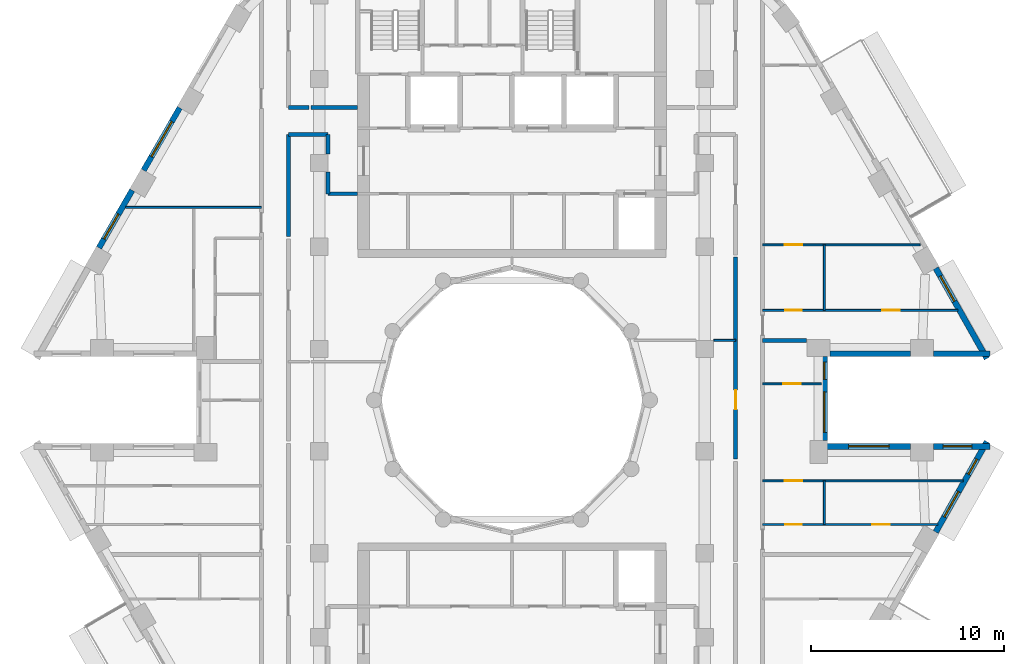
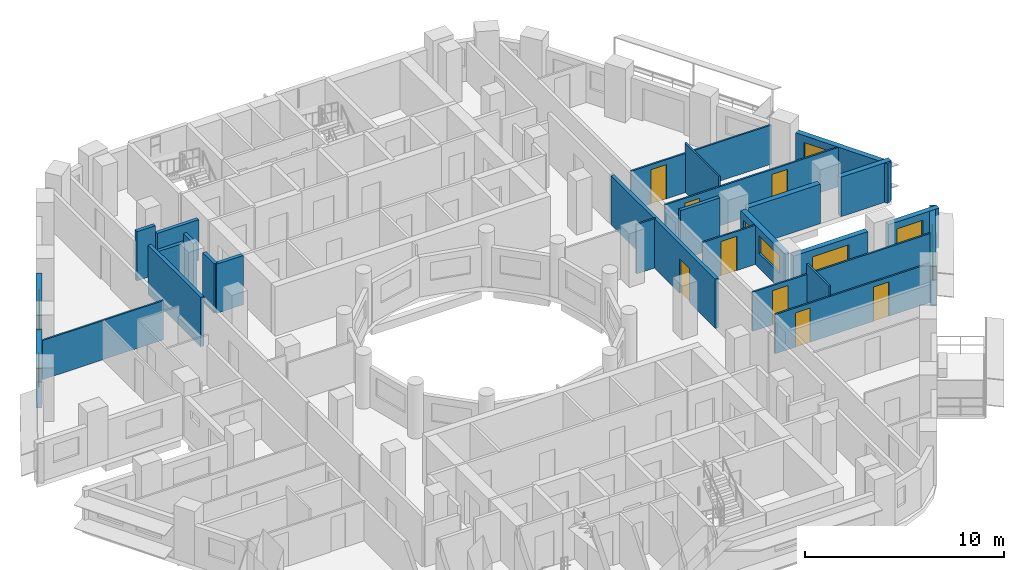
# One storey, part 7 of 18: 27 walls, 9 windows, 8 doors, 17 openings.
"""IFC4 building model written with IfcOpenShell, lengths in metres."""

import ifcopenshell
import ifcopenshell.guid

model = None  # the IFC model being written
_history = None  # IfcOwnerHistory: only IFC2X3 demands one
_inside = {}  # id of a spatial element -> (the spatial element, [elements in it])
_under = {}  # id of a project, library or spatial element -> (it, [spatial elements below it])
_declared = {}  # id of a project -> (the project, [libraries it declares])
_typed = {}  # id of a type object -> (the type object, [elements of that type])
_made_of = {}  # id of a material, layer set ... -> (it, [elements and type objects made of it])


def new_model(schema):
    """Start an empty IFC model of exactly this schema.

    Asked for "IFC4X3", IfcOpenShell would pick the latest addendum, in which some entities
    have other attributes; the version numbers below select the first issue.
    IFC2X3 requires an IfcOwnerHistory on every rooted entity: one is made here for all.
    """
    global model, _history
    if schema == "IFC4X3":
        model = ifcopenshell.file(schema_version=(4, 3, 0, 0))
    else:
        model = ifcopenshell.file(schema=schema)
    _inside.clear()
    _under.clear()
    _declared.clear()
    _typed.clear()
    _made_of.clear()
    _history = None
    if model.schema == "IFC2X3":
        org = make("IfcOrganization", Name="unknown")
        user = make(
            "IfcPersonAndOrganization",
            ThePerson=make("IfcPerson", FamilyName="unknown"),
            TheOrganization=org,
        )
        app = make(
            "IfcApplication",
            ApplicationDeveloper=org,
            Version="unknown",
            ApplicationFullName="unknown",
            ApplicationIdentifier="unknown",
        )
        _history = make(
            "IfcOwnerHistory",
            OwningUser=user,
            OwningApplication=app,
            ChangeAction="ADDED",
            CreationDate=0,
        )
    return model


def make(cls, **values):
    """One entity of the class cls with the attributes given. An attribute that is None is left unset."""
    return model.create_entity(
        cls, **{name: value for name, value in values.items() if value is not None}
    )


def rooted(cls, **values):
    """An entity with a GlobalId (a new one), such as an element, a storey or a relation."""
    return make(cls, GlobalId=ifcopenshell.guid.new(), OwnerHistory=_history, **values)


def si_unit(unit_type, name, prefix=None):
    """IfcSIUnit, for example si_unit("LENGTHUNIT", "METRE", prefix="MILLI")."""
    return make("IfcSIUnit", UnitType=unit_type, Prefix=prefix, Name=name)


def assignment(units):
    """IfcUnitAssignment: the units of a project."""
    return None if units is None else make("IfcUnitAssignment", Units=units)


def point(xyz):
    """IfcCartesianPoint."""
    return None if xyz is None else make("IfcCartesianPoint", Coordinates=xyz)


def direction(xyz):
    """IfcDirection."""
    return None if xyz is None else make("IfcDirection", DirectionRatios=xyz)


def frame(location, z_axis=None, x_axis=None):
    """IfcAxis2Placement3D, a coordinate frame: its origin and axes. An axis left out is left unset."""
    return make(
        "IfcAxis2Placement3D",
        Location=point(location),
        Axis=direction(z_axis),
        RefDirection=direction(x_axis),
    )


def frame_2d(location, x_axis=None):
    """IfcAxis2Placement2D, a coordinate frame in the plane: its origin and x axis."""
    return make(
        "IfcAxis2Placement2D", Location=point(location), RefDirection=direction(x_axis)
    )


def origin():
    """The frame at (0, 0, 0) with its axes left unset."""
    return frame((0.0, 0.0, 0.0))


def place(relative_to, where):
    """IfcLocalPlacement: puts the frame where relative to a parent placement (None: the world)."""
    return make(
        "IfcLocalPlacement", PlacementRelTo=relative_to, RelativePlacement=where
    )


def context(
    kind, dimensions, precision=None, world=None, true_north=None, identifier=None
):
    """IfcGeometricRepresentationContext, for example the 3D "Model" context."""
    return make(
        "IfcGeometricRepresentationContext",
        ContextIdentifier=identifier,
        ContextType=kind,
        CoordinateSpaceDimension=dimensions,
        Precision=precision,
        WorldCoordinateSystem=world,
        TrueNorth=true_north,
    )


def subcontext(parent, identifier, kind, view, scale=None):
    """IfcGeometricRepresentationSubContext, for example "Body" below "Model"."""
    return make(
        "IfcGeometricRepresentationSubContext",
        ContextIdentifier=identifier,
        ContextType=kind,
        ParentContext=parent,
        TargetScale=scale,
        TargetView=view,
    )


def project(units=None, contexts=None):
    """IfcProject with its units and contexts."""
    return rooted(
        "IfcProject",
        Name="project",
        RepresentationContexts=contexts,
        UnitsInContext=assignment(units),
    )


def spatial(cls, under=None, at=None, **own):
    """A site, building, storey or space (cls), placed at a placement, below another one or the project."""
    s = rooted(cls, ObjectPlacement=at, **own)
    if under is not None:
        _under.setdefault(under.id(), (under, []))[1].append(s)
    return s


def profile(cls, at=None, kind="AREA", **sizes):
    """A parametric profile (cls). Its sizes go by their IFC names, for example OverallWidth=200.0."""
    return make(cls, ProfileType=kind, Position=at, **sizes)


def rectangle(**sizes):
    """IfcRectangleProfileDef."""
    return profile("IfcRectangleProfileDef", **sizes)


def extrude(swept, where, along, depth):
    """IfcExtrudedAreaSolid: the profile swept, set in the frame where, extruded along a direction by depth."""
    return make(
        "IfcExtrudedAreaSolid",
        SweptArea=swept,
        Position=where,
        ExtrudedDirection=direction(along),
        Depth=depth,
    )


def shape(context_of_items, identifier, shape_type, items):
    """IfcShapeRepresentation: the items that make up one representation, for example the "Body"."""
    return make(
        "IfcShapeRepresentation",
        ContextOfItems=context_of_items,
        RepresentationIdentifier=identifier,
        RepresentationType=shape_type,
        Items=items,
    )


def material(Name=None, Category=None):
    """IfcMaterial."""
    return make("IfcMaterial", Name=Name, Category=Category)


def layer(
    of_material, thickness, ventilated=None, Name=None, Category=None, Priority=None
):
    """IfcMaterialLayer: one layer of a wall or slab, of a material (None: an air gap)."""
    return make(
        "IfcMaterialLayer",
        Material=of_material,
        LayerThickness=thickness,
        IsVentilated=ventilated,
        Name=Name,
        Category=Category,
        Priority=Priority,
    )


def layer_set(layers, Name=None):
    """IfcMaterialLayerSet."""
    return make("IfcMaterialLayerSet", MaterialLayers=layers, LayerSetName=Name)


def made_of(thing, what):
    """Note that an element or type object is made of a material, layer set ...; save() writes the relation."""
    if what is not None:
        _made_of.setdefault(what.id(), (what, []))[1].append(thing)
    return thing


def type_object(cls, material=None, **own):
    """A type object (cls), such as IfcWallType, which elements share."""
    return made_of(rooted(cls, **own), material)


def element(
    cls,
    number,
    at=None,
    inside=None,
    cuts=None,
    type_object=None,
    material=None,
    context=None,
    identifier="Body",
    shape_type=None,
    held_by="IfcProductDefinitionShape",
    body=None,
    shapes=None,
    **own,
):
    """One element of the class cls, such as IfcWall. Its Tag is "e" and its number.

    at: its placement. inside: the storey or other place that contains it. cuts: it is an
    opening in that element (IfcRelVoidsElement). A single representation is given by context,
    identifier, shape_type and body (its items); several are given by shapes. held_by: the class
    of the entity that holds the representations. save() writes the other relations.
    """
    e = rooted(cls, Tag="e%d" % number, ObjectPlacement=at, **own)
    if body is not None:
        shapes = [shape(context, identifier, shape_type, body)]
    if shapes is not None:
        e.Representation = make(held_by, Representations=shapes)
    if inside is not None:
        _inside.setdefault(inside.id(), (inside, []))[1].append(e)
    if cuts is not None:
        rooted(
            "IfcRelVoidsElement", RelatingBuildingElement=cuts, RelatedOpeningElement=e
        )
    if type_object is not None:
        _typed.setdefault(type_object.id(), (type_object, []))[1].append(e)
    return made_of(e, material)


def fill(opening, filler):
    """IfcRelFillsElement: the door or window that sits in an opening."""
    return rooted(
        "IfcRelFillsElement",
        RelatingOpeningElement=opening,
        RelatedBuildingElement=filler,
    )


def aggregate(whole, parts):
    """IfcRelAggregates: a whole, such as a stair, and the parts it consists of."""
    return rooted("IfcRelAggregates", RelatingObject=whole, RelatedObjects=parts)


def save(model, path):
    """Write the relations noted so far, then the file.

    IfcRelAggregates (storeys below a building ...), IfcRelContainedInSpatialStructure (elements
    in a storey), IfcRelDefinesByType, IfcRelAssociatesMaterial and IfcRelDeclares: one each for
    every whole, place, type object, material and project.
    """
    for whole, parts in _under.values():
        aggregate(whole, parts)
    for where, things in _inside.values():
        rooted(
            "IfcRelContainedInSpatialStructure",
            RelatedElements=things,
            RelatingStructure=where,
        )
    for kind, things in _typed.values():
        rooted("IfcRelDefinesByType", RelatedObjects=things, RelatingType=kind)
    for what, things in _made_of.values():
        rooted("IfcRelAssociatesMaterial", RelatedObjects=things, RelatingMaterial=what)
    for by, libraries in _declared.values():
        rooted("IfcRelDeclares", RelatingContext=by, RelatedDefinitions=libraries)
    model.write(path)


model = new_model("IFC4")

# Units and contexts
model_context = context("Model", 3, precision=1e-05, world=origin(), true_north=direction((0.0, 1.0)))
body_context = subcontext(model_context, "Body", "Model", "MODEL_VIEW")
ifc_project = project(units=[si_unit("LENGTHUNIT", "METRE"), si_unit("AREAUNIT", "SQUARE_METRE"), si_unit("VOLUMEUNIT", "CUBIC_METRE"), si_unit("PLANEANGLEUNIT", "RADIAN"), si_unit("MASSUNIT", "GRAM", prefix="KILO")], contexts=[model_context])

# Site, building, storey
site_placement = place(None, origin())
site = spatial("IfcSite", under=ifc_project, at=site_placement, CompositionType="ELEMENT")
building_placement = place(site_placement, origin())
building = spatial("IfcBuilding", under=site, at=building_placement, Name="Nakaniwa Court", CompositionType="ELEMENT")
storey_placement = place(building_placement, frame((0.0, 0.0, 180.0)))
storey = spatial("IfcBuildingStorey", under=building, at=storey_placement, Name="L46", CompositionType="ELEMENT", Elevation=180.0)

# Wall, opening, door
ifc_material_1 = material(Name="Acoustic double stud partition")
ifc_layer_1 = layer(ifc_material_1, 0.199951171875)
ifc_layer_set_1 = layer_set([ifc_layer_1], Name="Acoustic double stud partition")
wall_type_1 = type_object("IfcWallType", Name="Acoustic double stud partition 200", PredefinedType="PARTITIONING", material=ifc_layer_set_1)
wall_1_placement = place(storey_placement, frame((91.60009765625, 76.937255859375, 0.0), z_axis=(0.0, 0.0, 1.0), x_axis=(0.0, 1.0, 0.0)))
wall_1 = element("IfcWall", 1, at=wall_1_placement, inside=storey, type_object=wall_type_1, Name="Partition PW-074", PredefinedType="PARTITIONING", context=body_context, shape_type="SweptSolid", body=[
    extrude(rectangle(XDim=10.485595703125, YDim=0.199951171875, at=frame_2d((5.24267578125, 0.0))), origin(), (0.0, 0.0, 1.0), 3.02490234375),
])
opening_1_placement = place(wall_1_placement, frame((2.5830078125, 0.0, 0.0)))
opening_1 = element("IfcOpeningElement", 2, at=opening_1_placement, cuts=wall_1, Name="Opening D-02-02", PredefinedType="OPENING", context=body_context, shape_type="SweptSolid", body=[
    extrude(rectangle(XDim=1.0, YDim=2.10009765625, at=frame_2d((0.5, 1.050048828125))), frame((0.0, 0.10986328125, 0.0), z_axis=(0.0, -1.0, 0.0), x_axis=(1.0, 0.0, 0.0)), (0.0, 0.0, 1.0), 0.219970703125),
])
ifc_material_2 = material(Name="Solid core timber door set, black veneer", Category="wood")
door_type_1 = type_object("IfcDoorType", Name="Internal door 1000", OperationType="NOTDEFINED", PredefinedType="DOOR", material=ifc_material_2)
door_1_placement = place(opening_1_placement, origin())
door_1 = element("IfcDoor", 3, at=door_1_placement, inside=storey, type_object=door_type_1, Name="Door D-02-02 L46-032", OperationType="SINGLE_SWING_LEFT", OverallHeight=2.10009765625, OverallWidth=1.0, PredefinedType="DOOR", context=body_context, shape_type="SweptSolid", body=[
    extrude(rectangle(XDim=1.0, YDim=2.10009765625, at=frame_2d((0.5, 1.050048828125))), frame((0.0, 0.02490234375, 0.0), z_axis=(0.0, -1.0, 0.0), x_axis=(1.0, 0.0, 0.0)), (0.0, 0.0, 1.0), 0.050048828125),
])
fill(opening_1, door_1)

# Walls
wall_2_placement = place(storey_placement, frame((68.39990234375, 93.77490234375, 0.0), z_axis=(0.0, 0.0, 1.0), x_axis=(1.0, 0.0, 0.0)))
element("IfcWall", 4, at=wall_2_placement, inside=storey, type_object=wall_type_1, Name="Partition PW-090", PredefinedType="PARTITIONING", context=body_context, shape_type="SweptSolid", body=[
    extrude(rectangle(XDim=2.050048828125, YDim=0.199951171875, at=frame_2d((1.02490234375, 0.0))), origin(), (0.0, 0.0, 1.0), 2.5048828125),
])
wall_3_placement = place(storey_placement, frame((70.449951171875, 90.699951171875, 0.0), z_axis=(0.0, 0.0, 1.0), x_axis=(1.0, 0.0, 0.0)))
element("IfcWall", 5, at=wall_3_placement, inside=storey, type_object=wall_type_1, Name="Partition PW-092", PredefinedType="PARTITIONING", context=body_context, shape_type="SweptSolid", body=[
    extrude(rectangle(XDim=1.550048828125, YDim=0.199951171875, at=frame_2d((0.77490234375, 0.0))), origin(), (0.0, 0.0, 1.0), 3.02490234375),
])
wall_4_placement = place(storey_placement, frame((68.39990234375, 95.175048828125, 0.0), z_axis=(0.0, 0.0, 1.0), x_axis=(1.0, 0.0, 0.0)))
element("IfcWall", 6, at=wall_4_placement, inside=storey, type_object=wall_type_1, Name="Partition PW-094", PredefinedType="PARTITIONING", context=body_context, shape_type="SweptSolid", body=[
    extrude(rectangle(XDim=1.072998046875, YDim=0.199951171875, at=frame_2d((0.53662109375, 0.0))), origin(), (0.0, 0.0, 1.0), 3.02490234375),
])
wall_5_placement = place(storey_placement, frame((69.587158203125, 95.175048828125, 0.0), z_axis=(0.0, 0.0, 1.0), x_axis=(1.0, 0.0, 0.0)))
element("IfcWall", 7, at=wall_5_placement, inside=storey, type_object=wall_type_1, Name="Partition PW-095", PredefinedType="PARTITIONING", context=body_context, shape_type="SweptSolid", body=[
    extrude(rectangle(XDim=2.412841796875, YDim=0.199951171875, at=frame_2d((1.20654296875, 0.0))), origin(), (0.0, 0.0, 1.0), 2.5048828125),
])
wall_6_placement = place(storey_placement, frame((68.39990234375, 88.477294921875, 0.0), z_axis=(0.0, 0.0, 1.0), x_axis=(0.0, 1.0, 0.0)))
element("IfcWall", 8, at=wall_6_placement, inside=storey, type_object=wall_type_1, Name="Partition PW-102", PredefinedType="PARTITIONING", context=body_context, shape_type="SweptSolid", body=[
    extrude(rectangle(XDim=5.297607421875, YDim=0.199951171875, at=frame_2d((2.64892578125, 0.0))), origin(), (0.0, 0.0, 1.0), 3.02490234375),
])
wall_7_placement = place(storey_placement, frame((70.449951171875, 90.699951171875, 0.0), z_axis=(0.0, 0.0, 1.0), x_axis=(0.0, 1.0, 0.0)))
element("IfcWall", 9, at=wall_7_placement, inside=storey, type_object=wall_type_1, Name="Partition PW-107", PredefinedType="PARTITIONING", context=body_context, shape_type="SweptSolid", body=[
    extrude(rectangle(XDim=1.1328125, YDim=0.199951171875, at=frame_2d((0.56640625, 0.0))), origin(), (0.0, 0.0, 1.0), 3.02490234375),
])
wall_8_placement = place(storey_placement, frame((70.449951171875, 92.76708984375, 0.0), z_axis=(0.0, 0.0, 1.0), x_axis=(0.0, 1.0, 0.0)))
element("IfcWall", 10, at=wall_8_placement, inside=storey, type_object=wall_type_1, Name="Partition PW-108", PredefinedType="PARTITIONING", context=body_context, shape_type="SweptSolid", body=[
    extrude(rectangle(XDim=1.0078125, YDim=0.199951171875, at=frame_2d((0.50390625, 0.0))), origin(), (0.0, 0.0, 1.0), 3.02490234375),
])
wall_9_placement = place(storey_placement, frame((93.0009765625, 83.10009765625, 0.0), z_axis=(0.0, 0.0, 1.0), x_axis=(1.0, 0.0, 0.0)))
element("IfcWall", 11, at=wall_9_placement, inside=storey, type_object=wall_type_1, Name="Partition PW-129", PredefinedType="PARTITIONING", context=body_context, shape_type="SweptSolid", body=[
    extrude(rectangle(XDim=2.278564453125, YDim=0.199951171875, at=frame_2d((1.13916015625, 0.0))), origin(), (0.0, 0.0, 1.0), 3.02490234375),
])
ifc_material_3 = material(Name="Charcoal ceramic cladding")
ifc_layer_2 = layer(ifc_material_3, 0.02, Name="Ceramic cladding")
ifc_material_4 = material(Name="Ventilated air cavity")
ifc_layer_3 = layer(ifc_material_4, 0.04, ventilated=True, Name="Ventilated cavity")
ifc_material_5 = material(Name="Mineral wool insulation")
ifc_layer_4 = layer(ifc_material_5, 0.1, Name="Insulation")
ifc_material_6 = material(Name="Cement bonded sheathing board")
ifc_layer_5 = layer(ifc_material_6, 0.012, Name="Sheathing")
ifc_material_7 = material(Name="Cold-formed galvanised stud frame with mineral wool infill")
ifc_layer_6 = layer(ifc_material_7, 0.1, Name="Stud frame")
ifc_material_8 = material(Name="Fire-rated gypsum plasterboard lining")
ifc_layer_7 = layer(ifc_material_8, 0.028, Name="Lining")
ifc_layer_set_2 = layer_set([ifc_layer_2, ifc_layer_3, ifc_layer_4, ifc_layer_5, ifc_layer_6, ifc_layer_7], Name="Charcoal ceramic faced external wall system")
wall_type_2 = type_object("IfcWallType", Name="Black ceramic faced external wall 300", PredefinedType="SOLIDWALL", material=ifc_layer_set_2)
wall_10_placement = place(storey_placement, frame((96.49560546875, 82.39990234375, 0.0), z_axis=(0.0, 0.0, 1.0), x_axis=(1.0, 0.0, 0.0)))
element("IfcWall", 12, at=wall_10_placement, inside=storey, type_object=wall_type_2, Name="L46 external wall 00", PredefinedType="SOLIDWALL", context=body_context, shape_type="SweptSolid", body=[
    extrude(rectangle(XDim=4.17236328125, YDim=0.300048828125, at=frame_2d((2.086181640625, 0.0))), origin(), (0.0, 0.0, 1.0), 2.425048828125),
])
wall_11_placement = place(storey_placement, frame((101.860107421875, 82.39990234375, 0.0), z_axis=(0.0, 0.0, 1.0), x_axis=(1.0, 0.0, 0.0)))
element("IfcWall", 13, at=wall_11_placement, inside=storey, type_object=wall_type_2, Name="L46 external wall 01", PredefinedType="SOLIDWALL", context=body_context, shape_type="SweptSolid", body=[
    extrude(rectangle(XDim=2.937744140625, YDim=0.300048828125, at=frame_2d((1.46875, 0.0))), origin(), (0.0, 0.0, 1.0), 2.425048828125),
])

# Wall, opening, window
wall_12_placement = place(storey_placement, frame((104.627197265625, 82.153564453125, 0.0), z_axis=(0.0, 0.0, 1.0), x_axis=(-0.492033360928, 0.870576344575, 0.0)))
wall_12 = element("IfcWall", 14, at=wall_12_placement, inside=storey, type_object=wall_type_2, Name="L46 external wall 02", PredefinedType="SOLIDWALL", context=body_context, shape_type="SweptSolid", body=[
    extrude(rectangle(XDim=5.38671875, YDim=0.300048828125, at=frame_2d((2.693359375, 0.0))), origin(), (0.0, 0.0, 1.0), 2.425048828125),
])
opening_2_placement = place(wall_12_placement, frame((3.412353515625, 0.0, 0.89990234375)))
opening_2 = element("IfcOpeningElement", 15, at=opening_2_placement, cuts=wall_12, Name="Opening W5.01", PredefinedType="OPENING", context=body_context, shape_type="SweptSolid", body=[
    extrude(rectangle(XDim=1.5, YDim=1.10009765625, at=frame_2d((0.75, 0.550048828125))), frame((0.0, 0.159912109375, 0.0), z_axis=(0.0, -1.0, 0.0), x_axis=(1.0, 0.0, 0.0)), (0.0, 0.0, 1.0), 0.320068359375),
])
ifc_material_9 = material(Name="Black anodised aluminium frame with dark low-E laminated double glazing", Category="aluminium")
window_type_1 = type_object("IfcWindowType", Name="Dark glass window 1500x1100 sill 900", PartitioningType="SINGLE_PANEL", PredefinedType="WINDOW", material=ifc_material_9)
window_1_placement = place(opening_2_placement, origin())
window_1 = element("IfcWindow", 16, at=window_1_placement, inside=storey, type_object=window_type_1, Name="L46 habitable room window 02-1", OverallHeight=1.10009765625, OverallWidth=1.5, PartitioningType="SINGLE_PANEL", PredefinedType="WINDOW", context=body_context, shape_type="SweptSolid", body=[
    extrude(rectangle(XDim=1.5, YDim=1.10009765625, at=frame_2d((0.75, 0.550048828125))), frame((0.0, 0.030029296875, 0.0), z_axis=(0.0, -1.0, 0.0), x_axis=(1.0, 0.0, 0.0)), (0.0, 0.0, 1.0), 0.06005859375),
])
fill(opening_2, window_1)

wall_13_placement = place(storey_placement, frame((62.77099609375, 95.158447265625, 0.0), z_axis=(0.0, 0.0, 1.0), x_axis=(-0.500059225181, -0.86599120741, 0.0)))
wall_13 = element("IfcWall", 17, at=wall_13_placement, inside=storey, type_object=wall_type_2, Name="L46 external wall 12", PredefinedType="SOLIDWALL", context=body_context, shape_type="SweptSolid", body=[
    extrude(rectangle(XDim=3.744140625, YDim=0.300048828125, at=frame_2d((1.8720703125, 0.0))), origin(), (0.0, 0.0, 1.0), 2.425048828125),
])
opening_3_placement = place(wall_13_placement, frame((0.822021484375, 0.0, 0.89990234375)))
opening_3 = element("IfcOpeningElement", 18, at=opening_3_placement, cuts=wall_13, Name="Opening W7.12", PredefinedType="OPENING", context=body_context, shape_type="SweptSolid", body=[
    extrude(rectangle(XDim=2.10009765625, YDim=1.10009765625, at=frame_2d((1.050048828125, 0.550048828125))), frame((0.0, 0.159912109375, 0.0), z_axis=(0.0, -1.0, 0.0), x_axis=(1.0, 0.0, 0.0)), (0.0, 0.0, 1.0), 0.320068359375),
])
window_type_2 = type_object("IfcWindowType", Name="Dark glass window 2100x1100 sill 900", PartitioningType="SINGLE_PANEL", PredefinedType="WINDOW", material=ifc_material_9)
window_2_placement = place(opening_3_placement, origin())
window_2 = element("IfcWindow", 19, at=window_2_placement, inside=storey, type_object=window_type_2, Name="L46 habitable room window 12-0", OverallHeight=1.10009765625, OverallWidth=2.10009765625, PartitioningType="SINGLE_PANEL", PredefinedType="WINDOW", context=body_context, shape_type="SweptSolid", body=[
    extrude(rectangle(XDim=2.10009765625, YDim=1.10009765625, at=frame_2d((1.050048828125, 0.550048828125))), frame((0.0, 0.030029296875, 0.0), z_axis=(0.0, -1.0, 0.0), x_axis=(1.0, 0.0, 0.0)), (0.0, 0.0, 1.0), 0.06005859375),
])
fill(opening_3, window_2)

wall_14_placement = place(storey_placement, frame((60.302734375, 90.883544921875, 0.0), z_axis=(0.0, 0.0, 1.0), x_axis=(-0.499955427682, -0.866051136095, 0.0)))
wall_14 = element("IfcWall", 20, at=wall_14_placement, inside=storey, type_object=wall_type_2, Name="L46 external wall 13", PredefinedType="SOLIDWALL", context=body_context, shape_type="SweptSolid", body=[
    extrude(rectangle(XDim=3.447021484375, YDim=0.300048828125, at=frame_2d((1.7236328125, 0.0))), origin(), (0.0, 0.0, 1.0), 2.425048828125),
])
opening_4_placement = place(wall_14_placement, frame((1.422607421875, 0.0, 0.89990234375)))
opening_4 = element("IfcOpeningElement", 21, at=opening_4_placement, cuts=wall_14, Name="Opening W5.13", PredefinedType="OPENING", context=body_context, shape_type="SweptSolid", body=[
    extrude(rectangle(XDim=1.5, YDim=1.10009765625, at=frame_2d((0.75, 0.550048828125))), frame((0.0, 0.159912109375, 0.0), z_axis=(0.0, -1.0, 0.0), x_axis=(1.0, 0.0, 0.0)), (0.0, 0.0, 1.0), 0.320068359375),
])
window_3_placement = place(opening_4_placement, origin())
window_3 = element("IfcWindow", 22, at=window_3_placement, inside=storey, type_object=window_type_1, Name="L46 living window 13-1", OverallHeight=1.10009765625, OverallWidth=1.5, PartitioningType="SINGLE_PANEL", PredefinedType="WINDOW", context=body_context, shape_type="SweptSolid", body=[
    extrude(rectangle(XDim=1.5, YDim=1.10009765625, at=frame_2d((0.75, 0.550048828125))), frame((0.0, 0.030029296875, 0.0), z_axis=(0.0, -1.0, 0.0), x_axis=(1.0, 0.0, 0.0)), (0.0, 0.0, 1.0), 0.06005859375),
])
fill(opening_4, window_3)

# Wall, openings, windows
wall_15_placement = place(storey_placement, frame((101.976806640625, 73.156982421875, 0.0), z_axis=(0.0, 0.0, 1.0), x_axis=(0.492033360928, 0.870576344575, 0.0)))
wall_15 = element("IfcWall", 23, at=wall_15_placement, inside=storey, type_object=wall_type_2, Name="L46 external wall 32", PredefinedType="SOLIDWALL", context=body_context, shape_type="SweptSolid", body=[
    extrude(rectangle(XDim=5.38671875, YDim=0.300048828125, at=frame_2d((2.693359375, 0.0))), origin(), (0.0, 0.0, 1.0), 2.425048828125),
])
opening_5_placement = place(wall_15_placement, frame((0.904541015625, 0.0, 0.89990234375)))
opening_5 = element("IfcOpeningElement", 24, at=opening_5_placement, cuts=wall_15, Name="Opening W5.31", PredefinedType="OPENING", context=body_context, shape_type="SweptSolid", body=[
    extrude(rectangle(XDim=1.5, YDim=1.10009765625, at=frame_2d((0.75, 0.550048828125))), frame((0.0, 0.159912109375, 0.0), z_axis=(0.0, -1.0, 0.0), x_axis=(1.0, 0.0, 0.0)), (0.0, 0.0, 1.0), 0.320068359375),
])
opening_6_placement = place(wall_15_placement, frame((3.4443359375, 0.0, 0.89990234375)))
opening_6 = element("IfcOpeningElement", 25, at=opening_6_placement, cuts=wall_15, Name="Opening W9.32", PredefinedType="OPENING", context=body_context, shape_type="SweptSolid", body=[
    extrude(rectangle(XDim=0.89990234375, YDim=1.10009765625, at=frame_2d((0.449951171875, 0.550048828125))), frame((0.0, 0.159912109375, 0.0), z_axis=(0.0, -1.0, 0.0), x_axis=(1.0, 0.0, 0.0)), (0.0, 0.0, 1.0), 0.320068359375),
])
window_4_placement = place(opening_5_placement, origin())
window_4 = element("IfcWindow", 26, at=window_4_placement, inside=storey, type_object=window_type_1, Name="L46 habitable room window 32-1", OverallHeight=1.10009765625, OverallWidth=1.5, PartitioningType="SINGLE_PANEL", PredefinedType="WINDOW", context=body_context, shape_type="SweptSolid", body=[
    extrude(rectangle(XDim=1.5, YDim=1.10009765625, at=frame_2d((0.75, 0.550048828125))), frame((0.0, 0.030029296875, 0.0), z_axis=(0.0, -1.0, 0.0), x_axis=(1.0, 0.0, 0.0)), (0.0, 0.0, 1.0), 0.06005859375),
])
fill(opening_5, window_4)
window_type_3 = type_object("IfcWindowType", Name="Dark glass window 900x1100 sill 900", PartitioningType="SINGLE_PANEL", PredefinedType="WINDOW", material=ifc_material_9)
window_5_placement = place(opening_6_placement, origin())
window_5 = element("IfcWindow", 27, at=window_5_placement, inside=storey, type_object=window_type_3, Name="L46 living window 32-2", OverallHeight=1.10009765625, OverallWidth=0.89990234375, PartitioningType="SINGLE_PANEL", PredefinedType="WINDOW", context=body_context, shape_type="SweptSolid", body=[
    extrude(rectangle(XDim=0.89990234375, YDim=1.10009765625, at=frame_2d((0.449951171875, 0.550048828125))), frame((0.0, 0.030029296875, 0.0), z_axis=(0.0, -1.0, 0.0), x_axis=(1.0, 0.0, 0.0)), (0.0, 0.0, 1.0), 0.06005859375),
])
fill(opening_6, window_5)

# Wall, opening, window
wall_16_placement = place(storey_placement, frame((104.7978515625, 77.60009765625, 0.0), z_axis=(0.0, 0.0, 1.0), x_axis=(-1.0, 0.0, 0.0)))
wall_16 = element("IfcWall", 28, at=wall_16_placement, inside=storey, type_object=wall_type_2, Name="L46 external wall 33", PredefinedType="SOLIDWALL", context=body_context, shape_type="SweptSolid", body=[
    extrude(rectangle(XDim=2.937744140625, YDim=0.300048828125, at=frame_2d((1.46875, 0.0))), origin(), (0.0, 0.0, 1.0), 2.425048828125),
])
opening_7_placement = place(wall_16_placement, frame((0.944091796875, 0.0, 0.89990234375)))
opening_7 = element("IfcOpeningElement", 29, at=opening_7_placement, cuts=wall_16, Name="Opening W5.33", PredefinedType="OPENING", context=body_context, shape_type="SweptSolid", body=[
    extrude(rectangle(XDim=1.5, YDim=1.10009765625, at=frame_2d((0.75, 0.550048828125))), frame((0.0, 0.159912109375, 0.0), z_axis=(0.0, -1.0, 0.0), x_axis=(1.0, 0.0, 0.0)), (0.0, 0.0, 1.0), 0.320068359375),
])
window_6_placement = place(opening_7_placement, origin())
window_6 = element("IfcWindow", 30, at=window_6_placement, inside=storey, type_object=window_type_1, Name="L46 living window 33-0", OverallHeight=1.10009765625, OverallWidth=1.5, PartitioningType="SINGLE_PANEL", PredefinedType="WINDOW", context=body_context, shape_type="SweptSolid", body=[
    extrude(rectangle(XDim=1.5, YDim=1.10009765625, at=frame_2d((0.75, 0.550048828125))), frame((0.0, 0.030029296875, 0.0), z_axis=(0.0, -1.0, 0.0), x_axis=(1.0, 0.0, 0.0)), (0.0, 0.0, 1.0), 0.06005859375),
])
fill(opening_7, window_6)

wall_17_placement = place(storey_placement, frame((100.66796875, 77.60009765625, 0.0), z_axis=(0.0, 0.0, 1.0), x_axis=(-1.0, 0.0, 0.0)))
wall_17 = element("IfcWall", 31, at=wall_17_placement, inside=storey, type_object=wall_type_2, Name="L46 external wall 34", PredefinedType="SOLIDWALL", context=body_context, shape_type="SweptSolid", body=[
    extrude(rectangle(XDim=4.322509765625, YDim=0.300048828125, at=frame_2d((2.1611328125, 0.0))), origin(), (0.0, 0.0, 1.0), 2.425048828125),
])
opening_8_placement = place(wall_17_placement, frame((1.111083984375, 0.0, 0.89990234375)))
opening_8 = element("IfcOpeningElement", 32, at=opening_8_placement, cuts=wall_17, Name="Opening W7.34", PredefinedType="OPENING", context=body_context, shape_type="SweptSolid", body=[
    extrude(rectangle(XDim=2.10009765625, YDim=1.10009765625, at=frame_2d((1.050048828125, 0.550048828125))), frame((0.0, 0.159912109375, 0.0), z_axis=(0.0, -1.0, 0.0), x_axis=(1.0, 0.0, 0.0)), (0.0, 0.0, 1.0), 0.320068359375),
])
window_7_placement = place(opening_8_placement, origin())
window_7 = element("IfcWindow", 33, at=window_7_placement, inside=storey, type_object=window_type_2, Name="L46 living window 34-0", OverallHeight=1.10009765625, OverallWidth=2.10009765625, PartitioningType="SINGLE_PANEL", PredefinedType="WINDOW", context=body_context, shape_type="SweptSolid", body=[
    extrude(rectangle(XDim=2.10009765625, YDim=1.10009765625, at=frame_2d((1.050048828125, 0.550048828125))), frame((0.0, 0.030029296875, 0.0), z_axis=(0.0, -1.0, 0.0), x_axis=(1.0, 0.0, 0.0)), (0.0, 0.0, 1.0), 0.06005859375),
])
fill(opening_8, window_7)

# Wall, openings, windows
wall_18_placement = place(storey_placement, frame((96.199462890625, 77.89599609375, 0.0), z_axis=(0.0, 0.0, 1.0), x_axis=(0.0, 1.0, 0.0)))
wall_18 = element("IfcWall", 34, at=wall_18_placement, inside=storey, type_object=wall_type_2, Name="L46 external wall 35", PredefinedType="SOLIDWALL", context=body_context, shape_type="SweptSolid", body=[
    extrude(rectangle(XDim=4.35791015625, YDim=0.300048828125, at=frame_2d((2.178955078125, 0.0))), origin(), (0.0, 0.0, 1.0), 2.425048828125),
])
opening_9_placement = place(wall_18_placement, frame((0.43310546875, 0.0, 0.89990234375)))
opening_9 = element("IfcOpeningElement", 35, at=opening_9_placement, cuts=wall_18, Name="Opening W7.35", PredefinedType="OPENING", context=body_context, shape_type="SweptSolid", body=[
    extrude(rectangle(XDim=2.10009765625, YDim=1.10009765625, at=frame_2d((1.050048828125, 0.550048828125))), frame((0.0, 0.159912109375, 0.0), z_axis=(0.0, -1.0, 0.0), x_axis=(1.0, 0.0, 0.0)), (0.0, 0.0, 1.0), 0.320068359375),
])
opening_10_placement = place(wall_18_placement, frame((3.175048828125, 0.0, 0.89990234375)))
opening_10 = element("IfcOpeningElement", 36, at=opening_10_placement, cuts=wall_18, Name="Opening W9.36", PredefinedType="OPENING", context=body_context, shape_type="SweptSolid", body=[
    extrude(rectangle(XDim=0.89990234375, YDim=1.10009765625, at=frame_2d((0.449951171875, 0.550048828125))), frame((0.0, 0.159912109375, 0.0), z_axis=(0.0, -1.0, 0.0), x_axis=(1.0, 0.0, 0.0)), (0.0, 0.0, 1.0), 0.320068359375),
])
window_8_placement = place(opening_9_placement, origin())
window_8 = element("IfcWindow", 37, at=window_8_placement, inside=storey, type_object=window_type_2, Name="L46 living window 35-0", OverallHeight=1.10009765625, OverallWidth=2.10009765625, PartitioningType="SINGLE_PANEL", PredefinedType="WINDOW", context=body_context, shape_type="SweptSolid", body=[
    extrude(rectangle(XDim=2.10009765625, YDim=1.10009765625, at=frame_2d((1.050048828125, 0.550048828125))), frame((0.0, 0.030029296875, 0.0), z_axis=(0.0, -1.0, 0.0), x_axis=(1.0, 0.0, 0.0)), (0.0, 0.0, 1.0), 0.06005859375),
])
fill(opening_9, window_8)
window_9_placement = place(opening_10_placement, origin())
window_9 = element("IfcWindow", 38, at=window_9_placement, inside=storey, type_object=window_type_3, Name="L46 habitable room window 35-1", OverallHeight=1.10009765625, OverallWidth=0.89990234375, PartitioningType="SINGLE_PANEL", PredefinedType="WINDOW", context=body_context, shape_type="SweptSolid", body=[
    extrude(rectangle(XDim=0.89990234375, YDim=1.10009765625, at=frame_2d((0.449951171875, 0.550048828125))), frame((0.0, 0.030029296875, 0.0), z_axis=(0.0, -1.0, 0.0), x_axis=(1.0, 0.0, 0.0)), (0.0, 0.0, 1.0), 0.06005859375),
])
fill(opening_10, window_9)

# Wall
ifc_material_10 = material(Name="Single stud plasterboard partition")
ifc_layer_8 = layer(ifc_material_10, 0.10009765625)
ifc_layer_set_3 = layer_set([ifc_layer_8], Name="Single stud plasterboard partition")
wall_type_3 = type_object("IfcWallType", Name="Single stud plasterboard partition 100", PredefinedType="PARTITIONING", material=ifc_layer_set_3)
wall_19_placement = place(storey_placement, frame((90.469970703125, 83.10009765625, 0.0), z_axis=(0.0, 0.0, 1.0), x_axis=(1.0, 0.0, 0.0)))
element("IfcWall", 39, at=wall_19_placement, inside=storey, type_object=wall_type_3, Name="Partition PW-122", PredefinedType="PARTITIONING", context=body_context, shape_type="SweptSolid", body=[
    extrude(rectangle(XDim=1.129150390625, YDim=0.10009765625, at=frame_2d((0.564453125, 0.0))), origin(), (0.0, 0.0, 1.0), 3.02490234375),
])

# Wall, openings, doors
wall_20_placement = place(storey_placement, frame((93.0009765625, 73.550048828125, 0.0), z_axis=(0.0, 0.0, 1.0), x_axis=(1.0, 0.0, 0.0)))
wall_20 = element("IfcWall", 40, at=wall_20_placement, inside=storey, type_object=wall_type_3, Name="Partition PW-124", PredefinedType="PARTITIONING", context=body_context, shape_type="SweptSolid", body=[
    extrude(rectangle(XDim=9.082763671875, YDim=0.10009765625, at=frame_2d((4.54150390625, 0.0))), origin(), (0.0, 0.0, 1.0), 2.405029296875),
])
opening_11_placement = place(wall_20_placement, frame((1.175048828125, 0.0, 0.0)))
opening_11 = element("IfcOpeningElement", 41, at=opening_11_placement, cuts=wall_20, Name="Opening D-03-02", PredefinedType="OPENING", context=body_context, shape_type="SweptSolid", body=[
    extrude(rectangle(XDim=0.85009765625, YDim=2.10009765625, at=frame_2d((0.425048828125, 1.050048828125))), frame((0.0, 0.06005859375, 0.0), z_axis=(0.0, -1.0, 0.0), x_axis=(1.0, 0.0, 0.0)), (0.0, 0.0, 1.0), 0.1201171875),
])
opening_12_placement = place(wall_20_placement, frame((5.69091796875, 0.0, 0.0)))
opening_12 = element("IfcOpeningElement", 42, at=opening_12_placement, cuts=wall_20, Name="Opening D-33-03", PredefinedType="OPENING", context=body_context, shape_type="SweptSolid", body=[
    extrude(rectangle(XDim=0.89990234375, YDim=2.10009765625, at=frame_2d((0.449951171875, 1.050048828125))), frame((0.0, 0.06005859375, 0.0), z_axis=(0.0, -1.0, 0.0), x_axis=(1.0, 0.0, 0.0)), (0.0, 0.0, 1.0), 0.1201171875),
])
ifc_material_11 = material(Name="Moisture sealed timber door set", Category="wood")
door_type_2 = type_object("IfcDoorType", Name="Bathroom door 850", OperationType="NOTDEFINED", PredefinedType="DOOR", material=ifc_material_11)
door_2_placement = place(opening_11_placement, origin())
door_2 = element("IfcDoor", 43, at=door_2_placement, inside=storey, type_object=door_type_2, Name="Door D-03-02 L46-034", OperationType="SINGLE_SWING_LEFT", OverallHeight=2.10009765625, OverallWidth=0.85009765625, PredefinedType="DOOR", context=body_context, shape_type="SweptSolid", body=[
    extrude(rectangle(XDim=0.85009765625, YDim=2.10009765625, at=frame_2d((0.425048828125, 1.050048828125))), frame((0.0, 0.02490234375, 0.0), z_axis=(0.0, -1.0, 0.0), x_axis=(1.0, 0.0, 0.0)), (0.0, 0.0, 1.0), 0.050048828125),
])
fill(opening_11, door_2)
door_type_3 = type_object("IfcDoorType", Name="Internal door 900", OperationType="NOTDEFINED", PredefinedType="DOOR", material=ifc_material_2)
door_3_placement = place(opening_12_placement, origin())
door_3 = element("IfcDoor", 44, at=door_3_placement, inside=storey, type_object=door_type_3, Name="Door D-33-03 L46-035", OperationType="SINGLE_SWING_RIGHT", OverallHeight=2.10009765625, OverallWidth=0.89990234375, PredefinedType="DOOR", context=body_context, shape_type="SweptSolid", body=[
    extrude(rectangle(XDim=0.89990234375, YDim=2.10009765625, at=frame_2d((0.449951171875, 1.050048828125))), frame((0.0, 0.02490234375, 0.0), z_axis=(0.0, -1.0, 0.0), x_axis=(1.0, 0.0, 0.0)), (0.0, 0.0, 1.0), 0.050048828125),
])
fill(opening_12, door_3)

# Walls
wall_21_placement = place(storey_placement, frame((96.200927734375, 73.550048828125, 0.0), z_axis=(0.0, 0.0, 1.0), x_axis=(0.0, 1.0, 0.0)))
element("IfcWall", 45, at=wall_21_placement, inside=storey, type_object=wall_type_3, Name="Partition PW-125", PredefinedType="PARTITIONING", context=body_context, shape_type="SweptSolid", body=[
    extrude(rectangle(XDim=2.26171875, YDim=0.10009765625, at=frame_2d((1.130859375, 0.0))), origin(), (0.0, 0.0, 1.0), 3.02490234375),
])
wall_22_placement = place(storey_placement, frame((96.200927734375, 84.64990234375, 0.0), z_axis=(0.0, 0.0, 1.0), x_axis=(0.0, 1.0, 0.0)))
element("IfcWall", 46, at=wall_22_placement, inside=storey, type_object=wall_type_3, Name="Partition PW-126", PredefinedType="PARTITIONING", context=body_context, shape_type="SweptSolid", body=[
    extrude(rectangle(XDim=3.400146484375, YDim=0.10009765625, at=frame_2d((1.7001953125, 0.0))), origin(), (0.0, 0.0, 1.0), 3.02490234375),
])

# Wall, opening, door
wall_23_placement = place(storey_placement, frame((93.0009765625, 75.81201171875, 0.0), z_axis=(0.0, 0.0, 1.0), x_axis=(1.0, 0.0, 0.0)))
wall_23 = element("IfcWall", 47, at=wall_23_placement, inside=storey, type_object=wall_type_3, Name="Partition PW-127", PredefinedType="PARTITIONING", context=body_context, shape_type="SweptSolid", body=[
    extrude(rectangle(XDim=10.388671875, YDim=0.10009765625, at=frame_2d((5.1943359375, 0.0))), origin(), (0.0, 0.0, 1.0), 2.405029296875),
])
opening_13_placement = place(wall_23_placement, frame((1.15087890625, 0.0, 0.0)))
opening_13 = element("IfcOpeningElement", 48, at=opening_13_placement, cuts=wall_23, Name="Opening D-33-04", PredefinedType="OPENING", context=body_context, shape_type="SweptSolid", body=[
    extrude(rectangle(XDim=0.89990234375, YDim=2.10009765625, at=frame_2d((0.449951171875, 1.050048828125))), frame((0.0, 0.06005859375, 0.0), z_axis=(0.0, -1.0, 0.0), x_axis=(1.0, 0.0, 0.0)), (0.0, 0.0, 1.0), 0.1201171875),
])
door_4_placement = place(opening_13_placement, origin())
door_4 = element("IfcDoor", 49, at=door_4_placement, inside=storey, type_object=door_type_3, Name="Door D-33-04 L46-036", OperationType="SINGLE_SWING_LEFT", OverallHeight=2.10009765625, OverallWidth=0.89990234375, PredefinedType="DOOR", context=body_context, shape_type="SweptSolid", body=[
    extrude(rectangle(XDim=0.89990234375, YDim=2.10009765625, at=frame_2d((0.449951171875, 1.050048828125))), frame((0.0, 0.02490234375, 0.0), z_axis=(0.0, -1.0, 0.0), x_axis=(1.0, 0.0, 0.0)), (0.0, 0.0, 1.0), 0.050048828125),
])
fill(opening_13, door_4)

wall_24_placement = place(storey_placement, frame((93.0009765625, 80.837890625, 0.0), z_axis=(0.0, 0.0, 1.0), x_axis=(1.0, 0.0, 0.0)))
wall_24 = element("IfcWall", 50, at=wall_24_placement, inside=storey, type_object=wall_type_3, Name="Partition PW-128", PredefinedType="PARTITIONING", context=body_context, shape_type="SweptSolid", body=[
    extrude(rectangle(XDim=3.048583984375, YDim=0.10009765625, at=frame_2d((1.5244140625, 0.0))), origin(), (0.0, 0.0, 1.0), 2.405029296875),
])
opening_14_placement = place(wall_24_placement, frame((1.073974609375, 0.0, 0.0)))
opening_14 = element("IfcOpeningElement", 51, at=opening_14_placement, cuts=wall_24, Name="Opening D-33-05", PredefinedType="OPENING", context=body_context, shape_type="SweptSolid", body=[
    extrude(rectangle(XDim=0.89990234375, YDim=2.10009765625, at=frame_2d((0.449951171875, 1.050048828125))), frame((0.0, 0.06005859375, 0.0), z_axis=(0.0, -1.0, 0.0), x_axis=(1.0, 0.0, 0.0)), (0.0, 0.0, 1.0), 0.1201171875),
])
door_5_placement = place(opening_14_placement, origin())
door_5 = element("IfcDoor", 52, at=door_5_placement, inside=storey, type_object=door_type_3, Name="Door D-33-05 L46-037", OperationType="SINGLE_SWING_RIGHT", OverallHeight=2.10009765625, OverallWidth=0.89990234375, PredefinedType="DOOR", context=body_context, shape_type="SweptSolid", body=[
    extrude(rectangle(XDim=0.89990234375, YDim=2.10009765625, at=frame_2d((0.449951171875, 1.050048828125))), frame((0.0, 0.02490234375, 0.0), z_axis=(0.0, -1.0, 0.0), x_axis=(1.0, 0.0, 0.0)), (0.0, 0.0, 1.0), 0.050048828125),
])
fill(opening_14, door_5)

# Wall, openings, doors
wall_25_placement = place(storey_placement, frame((93.0009765625, 84.64990234375, 0.0), z_axis=(0.0, 0.0, 1.0), x_axis=(1.0, 0.0, 0.0)))
wall_25 = element("IfcWall", 53, at=wall_25_placement, inside=storey, type_object=wall_type_3, Name="Partition PW-130", PredefinedType="PARTITIONING", context=body_context, shape_type="SweptSolid", body=[
    extrude(rectangle(XDim=10.1220703125, YDim=0.10009765625, at=frame_2d((5.06103515625, 0.0))), origin(), (0.0, 0.0, 1.0), 2.405029296875),
])
opening_15_placement = place(wall_25_placement, frame((1.175048828125, 0.0, 0.0)))
opening_15 = element("IfcOpeningElement", 54, at=opening_15_placement, cuts=wall_25, Name="Opening D-03-03", PredefinedType="OPENING", context=body_context, shape_type="SweptSolid", body=[
    extrude(rectangle(XDim=0.85009765625, YDim=2.10009765625, at=frame_2d((0.425048828125, 1.050048828125))), frame((0.0, 0.06005859375, 0.0), z_axis=(0.0, -1.0, 0.0), x_axis=(1.0, 0.0, 0.0)), (0.0, 0.0, 1.0), 0.1201171875),
])
opening_16_placement = place(wall_25_placement, frame((6.2109375, 0.0, 0.0)))
opening_16 = element("IfcOpeningElement", 55, at=opening_16_placement, cuts=wall_25, Name="Opening D-33-06", PredefinedType="OPENING", context=body_context, shape_type="SweptSolid", body=[
    extrude(rectangle(XDim=0.89990234375, YDim=2.10009765625, at=frame_2d((0.449951171875, 1.050048828125))), frame((0.0, 0.06005859375, 0.0), z_axis=(0.0, -1.0, 0.0), x_axis=(1.0, 0.0, 0.0)), (0.0, 0.0, 1.0), 0.1201171875),
])
door_6_placement = place(opening_15_placement, origin())
door_6 = element("IfcDoor", 56, at=door_6_placement, inside=storey, type_object=door_type_2, Name="Door D-03-03 L46-040", OperationType="SINGLE_SWING_LEFT", OverallHeight=2.10009765625, OverallWidth=0.85009765625, PredefinedType="DOOR", context=body_context, shape_type="SweptSolid", body=[
    extrude(rectangle(XDim=0.85009765625, YDim=2.10009765625, at=frame_2d((0.425048828125, 1.050048828125))), frame((0.0, 0.02490234375, 0.0), z_axis=(0.0, -1.0, 0.0), x_axis=(1.0, 0.0, 0.0)), (0.0, 0.0, 1.0), 0.050048828125),
])
fill(opening_15, door_6)
door_7_placement = place(opening_16_placement, origin())
door_7 = element("IfcDoor", 57, at=door_7_placement, inside=storey, type_object=door_type_3, Name="Door D-33-06 L46-041", OperationType="SINGLE_SWING_RIGHT", OverallHeight=2.10009765625, OverallWidth=0.89990234375, PredefinedType="DOOR", context=body_context, shape_type="SweptSolid", body=[
    extrude(rectangle(XDim=0.89990234375, YDim=2.10009765625, at=frame_2d((0.449951171875, 1.050048828125))), frame((0.0, 0.02490234375, 0.0), z_axis=(0.0, -1.0, 0.0), x_axis=(1.0, 0.0, 0.0)), (0.0, 0.0, 1.0), 0.050048828125),
])
fill(opening_16, door_7)

# Wall, opening, door
wall_26_placement = place(storey_placement, frame((93.0009765625, 88.050048828125, 0.0), z_axis=(0.0, 0.0, 1.0), x_axis=(1.0, 0.0, 0.0)))
wall_26 = element("IfcWall", 58, at=wall_26_placement, inside=storey, type_object=wall_type_3, Name="Partition PW-131", PredefinedType="PARTITIONING", context=body_context, shape_type="SweptSolid", body=[
    extrude(rectangle(XDim=8.158935546875, YDim=0.10009765625, at=frame_2d((4.07958984375, 0.0))), origin(), (0.0, 0.0, 1.0), 2.405029296875),
])
opening_17_placement = place(wall_26_placement, frame((1.15087890625, 0.0, 0.0)))
opening_17 = element("IfcOpeningElement", 59, at=opening_17_placement, cuts=wall_26, Name="Opening D-33-07", PredefinedType="OPENING", context=body_context, shape_type="SweptSolid", body=[
    extrude(rectangle(XDim=0.89990234375, YDim=2.10009765625, at=frame_2d((0.449951171875, 1.050048828125))), frame((0.0, 0.06005859375, 0.0), z_axis=(0.0, -1.0, 0.0), x_axis=(1.0, 0.0, 0.0)), (0.0, 0.0, 1.0), 0.1201171875),
])
door_8_placement = place(opening_17_placement, origin())
door_8 = element("IfcDoor", 60, at=door_8_placement, inside=storey, type_object=door_type_3, Name="Door D-33-07 L46-042", OperationType="SINGLE_SWING_LEFT", OverallHeight=2.10009765625, OverallWidth=0.89990234375, PredefinedType="DOOR", context=body_context, shape_type="SweptSolid", body=[
    extrude(rectangle(XDim=0.89990234375, YDim=2.10009765625, at=frame_2d((0.449951171875, 1.050048828125))), frame((0.0, 0.02490234375, 0.0), z_axis=(0.0, -1.0, 0.0), x_axis=(1.0, 0.0, 0.0)), (0.0, 0.0, 1.0), 0.050048828125),
])
fill(opening_17, door_8)

# Wall
wall_27_placement = place(storey_placement, frame((59.9658203125, 90.0, 0.0), z_axis=(0.0, 0.0, 1.0), x_axis=(1.0, 0.0, 0.0)))
element("IfcWall", 61, at=wall_27_placement, inside=storey, type_object=wall_type_3, Name="Partition PW-143", PredefinedType="PARTITIONING", context=body_context, shape_type="SweptSolid", body=[
    extrude(rectangle(XDim=7.033203125, YDim=0.10009765625, at=frame_2d((3.5166015625, 0.0))), origin(), (0.0, 0.0, 1.0), 2.405029296875),
])

save(model, "model.ifc")
